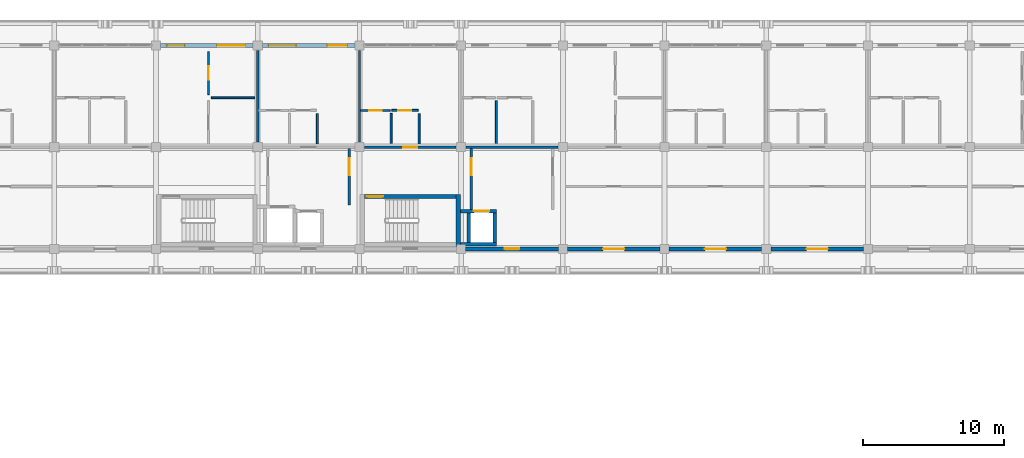
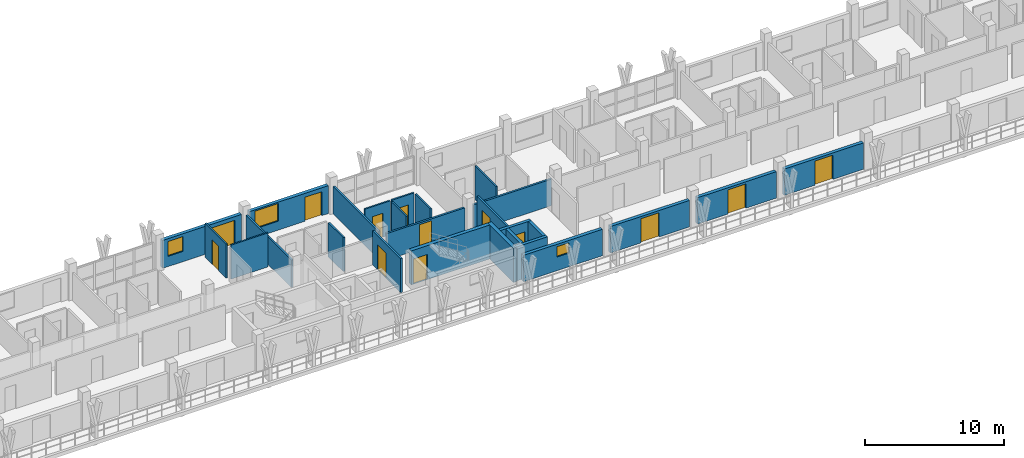
# One storey, part 47 of 76: 26 walls, 13 doors, 3 windows, 16 openings.
"""IFC4 building model written with IfcOpenShell, lengths in metres."""

from ifc_helpers import new_model, si_unit, direction, frame, frame_2d, origin, place, context, subcontext, project, spatial, rectangle, extrude, material, layer, layer_set, type_object, element, fill, save


model = new_model("IFC4")

# Units and contexts
model_context = context("Model", 3, precision=1e-05, world=origin(), true_north=direction((0.0, 1.0)))
body_context = subcontext(model_context, "Body", "Model", "MODEL_VIEW")
ifc_project = project(units=[si_unit("LENGTHUNIT", "METRE"), si_unit("AREAUNIT", "SQUARE_METRE"), si_unit("VOLUMEUNIT", "CUBIC_METRE"), si_unit("PLANEANGLEUNIT", "RADIAN"), si_unit("MASSUNIT", "GRAM", prefix="KILO")], contexts=[model_context])

# Site, building, storey
site_placement = place(None, origin())
site = spatial("IfcSite", under=ifc_project, at=site_placement, CompositionType="ELEMENT")
building_placement = place(site_placement, origin())
building = spatial("IfcBuilding", under=site, at=building_placement, Name="Suanplinth Sawtooth Commons", CompositionType="ELEMENT")
storey_placement = place(building_placement, frame((0.0, 0.0, 12.199951171875)))
storey = spatial("IfcBuildingStorey", under=building, at=storey_placement, Name="L03", CompositionType="ELEMENT", Elevation=12.199951171875)

# Wall, opening, door
ifc_material_1 = material(Name="Concrete C40/50", Category="concrete")
ifc_layer_1 = layer(ifc_material_1, 0.300048828125, Name="Standard RC stair and lift core wall 300mm")
ifc_layer_set_1 = layer_set([ifc_layer_1], Name="Concrete C40/50")
wall_type_1 = type_object("IfcWallType", Name="W-CR02", PredefinedType="SHEAR", material=ifc_layer_set_1)
wall_1_placement = place(storey_placement, frame((57.949951171875, 111.699951171875, 0.0), z_axis=(0.0, 0.0, 1.0), x_axis=(1.0, 0.0, 0.0)))
wall_1 = element("IfcWall", 1, at=wall_1_placement, inside=storey, type_object=wall_type_1, Name="W-L03-C-A2-STN", PredefinedType="SHEAR", context=body_context, shape_type="SweptSolid", body=[
    extrude(rectangle(XDim=6.5, YDim=0.300048828125, at=frame_2d((3.25, 0.0))), origin(), (0.0, 0.0, 1.0), 2.97998046875),
])
opening_1_placement = place(wall_1_placement, frame((0.179931640625, 0.0, 0.0)))
opening_1 = element("IfcOpeningElement", 2, at=opening_1_placement, cuts=wall_1, Name="Opening FD0102", PredefinedType="OPENING", context=body_context, shape_type="SweptSolid", body=[
    extrude(rectangle(XDim=1.14990234375, YDim=2.199951171875, at=frame_2d((0.574951171875, 1.10009765625))), frame((0.0, 0.1650390625, 0.0), z_axis=(0.0, -1.0, 0.0), x_axis=(1.0, 0.0, 0.0)), (0.0, 0.0, 1.0), 0.329833984375),
])
ifc_material_2 = material(Name="Teak hardwood fire-rated door assembly", Category="wood")
door_type_1 = type_object("IfcDoorType", Name="FD-01", OperationType="NOTDEFINED", PredefinedType="DOOR", material=ifc_material_2)
door_1_placement = place(opening_1_placement, frame((1.14990234375, 0.0, 0.0), z_axis=(0.0, 0.0, 1.0), x_axis=(-1.0, 0.0, 0.0)))
door_1 = element("IfcDoor", 3, at=door_1_placement, inside=storey, type_object=door_type_1, Name="Exit Stair Fire Door FD0102", OperationType="SINGLE_SWING_LEFT", OverallHeight=2.199951171875, OverallWidth=1.14990234375, PredefinedType="DOOR", context=body_context, shape_type="SweptSolid", body=[
    extrude(rectangle(XDim=1.14990234375, YDim=2.199951171875, at=frame_2d((0.574951171875, 1.10009765625))), frame((0.0, 0.02490234375, 0.0), z_axis=(0.0, -1.0, 0.0), x_axis=(1.0, 0.0, 0.0)), (0.0, 0.0, 1.0), 0.050048828125),
])
fill(opening_1, door_1)

# Wall
wall_2_placement = place(storey_placement, frame((64.60009765625, 108.14990234375, 0.0), z_axis=(0.0, 0.0, 1.0), x_axis=(0.0, 1.0, 0.0)))
element("IfcWall", 4, at=wall_2_placement, inside=storey, type_object=wall_type_1, Name="W-L03-C-A2-STE", PredefinedType="SHEAR", context=body_context, shape_type="SweptSolid", body=[
    extrude(rectangle(XDim=3.7001953125, YDim=0.300048828125, at=frame_2d((1.85009765625, 0.0))), origin(), (0.0, 0.0, 1.0), 2.97998046875),
])

# Wall, openings, door, window
ifc_material_3 = material(Name="Precast concrete C40/50", Category="concrete")
ifc_layer_2 = layer(ifc_material_3, 0.280029296875, Name="Insulated precast architectural facade wall 280mm")
ifc_layer_set_2 = layer_set([ifc_layer_2], Name="Precast concrete C40/50")
wall_type_2 = type_object("IfcWallType", Name="W-EX01", PredefinedType="ELEMENTEDWALL", material=ifc_layer_set_2)
wall_3_placement = place(storey_placement, frame((43.52490234375, 122.39990234375, 0.0), z_axis=(0.0, 0.0, 1.0), x_axis=(1.0, 0.0, 0.0)))
wall_3 = element("IfcWall", 5, at=wall_3_placement, inside=storey, type_object=wall_type_2, Name="Facade Wall W-L03-A-N-6", PredefinedType="ELEMENTEDWALL", context=body_context, shape_type="SweptSolid", body=[
    extrude(rectangle(XDim=6.550048828125, YDim=0.280029296875, at=frame_2d((3.27490234375, 0.0))), origin(), (0.0, 0.0, 1.0), 2.445068359375),
])
opening_2_placement = place(wall_3_placement, frame((4.0, 0.0, 0.0)))
opening_2 = element("IfcOpeningElement", 6, at=opening_2_placement, cuts=wall_3, Name="Opening ED0229", PredefinedType="OPENING", context=body_context, shape_type="SweptSolid", body=[
    extrude(rectangle(XDim=2.0, YDim=2.1201171875, at=frame_2d((1.0, 1.06005859375))), frame((0.0, 0.15478515625, 0.0), z_axis=(0.0, -1.0, 0.0), x_axis=(1.0, 0.0, 0.0)), (0.0, 0.0, 1.0), 0.309814453125),
])
opening_3_placement = place(wall_3_placement, frame((0.449951171875, 0.0, 0.89990234375)))
opening_3 = element("IfcOpeningElement", 7, at=opening_3_placement, cuts=wall_3, Name="Opening W0336", PredefinedType="OPENING", context=body_context, shape_type="SweptSolid", body=[
    extrude(rectangle(XDim=1.25, YDim=1.300048828125, at=frame_2d((0.625, 0.64990234375))), frame((0.0, 0.15478515625, 0.0), z_axis=(0.0, -1.0, 0.0), x_axis=(1.0, 0.0, 0.0)), (0.0, 0.0, 1.0), 0.309814453125),
])
ifc_material_4 = material(Name="Anodized aluminium and low-E glass", Category="aluminium")
door_type_2 = type_object("IfcDoorType", Name="SD-06", OperationType="DOUBLE_DOOR_SLIDING", PredefinedType="DOOR", material=ifc_material_4)
door_2_placement = place(opening_2_placement, frame((2.0, 0.0, 0.0), z_axis=(0.0, 0.0, 1.0), x_axis=(-1.0, 0.0, 0.0)))
door_2 = element("IfcDoor", 8, at=door_2_placement, inside=storey, type_object=door_type_2, Name="Balcony Sliding Door L03-A-N-6", OperationType="DOUBLE_DOOR_SLIDING", OverallHeight=2.1201171875, OverallWidth=2.0, PredefinedType="DOOR", context=body_context, shape_type="SweptSolid", body=[
    extrude(rectangle(XDim=2.0, YDim=2.1201171875, at=frame_2d((1.0, 1.06005859375))), frame((0.0, 0.02490234375, 0.0), z_axis=(0.0, -1.0, 0.0), x_axis=(1.0, 0.0, 0.0)), (0.0, 0.0, 1.0), 0.050048828125),
])
fill(opening_2, door_2)
ifc_material_5 = material(Name="Thermally broken aluminium and low-E double glazing", Category="aluminium")
window_type_1 = type_object("IfcWindowType", Name="WN-17", PartitioningType="SINGLE_PANEL", PredefinedType="WINDOW", material=ifc_material_5)
window_1_placement = place(opening_3_placement, origin())
window_1 = element("IfcWindow", 9, at=window_1_placement, inside=storey, type_object=window_type_1, Name="Window L03-A-N-6", OverallHeight=1.300048828125, OverallWidth=1.25, PartitioningType="SINGLE_PANEL", PredefinedType="WINDOW", context=body_context, shape_type="SweptSolid", body=[
    extrude(rectangle(XDim=1.25, YDim=1.300048828125, at=frame_2d((0.625, 0.64990234375))), frame((0.0, 0.030029296875, 0.0), z_axis=(0.0, -1.0, 0.0), x_axis=(1.0, 0.0, 0.0)), (0.0, 0.0, 1.0), 0.06005859375),
])
fill(opening_3, window_1)

wall_4_placement = place(storey_placement, frame((50.72509765625, 122.39990234375, 0.0), z_axis=(0.0, 0.0, 1.0), x_axis=(1.0, 0.0, 0.0)))
wall_4 = element("IfcWall", 10, at=wall_4_placement, inside=storey, type_object=wall_type_2, Name="Facade Wall W-L03-A-N-7", PredefinedType="ELEMENTEDWALL", context=body_context, shape_type="SweptSolid", body=[
    extrude(rectangle(XDim=6.5498046875, YDim=0.280029296875, at=frame_2d((3.27490234375, 0.0))), origin(), (0.0, 0.0, 1.0), 2.445068359375),
])
opening_4_placement = place(wall_4_placement, frame((4.60009765625, 0.0, 0.0)))
opening_4 = element("IfcOpeningElement", 11, at=opening_4_placement, cuts=wall_4, Name="Opening ED0230", PredefinedType="OPENING", context=body_context, shape_type="SweptSolid", body=[
    extrude(rectangle(XDim=1.39990234375, YDim=2.10009765625, at=frame_2d((0.699951171875, 1.050048828125))), frame((0.0, 0.15478515625, 0.0), z_axis=(0.0, -1.0, 0.0), x_axis=(1.0, 0.0, 0.0)), (0.0, 0.0, 1.0), 0.309814453125),
])
opening_5_placement = place(wall_4_placement, frame((0.449951171875, 0.0, 0.784912109375)))
opening_5 = element("IfcOpeningElement", 12, at=opening_5_placement, cuts=wall_4, Name="Opening W0338", PredefinedType="OPENING", context=body_context, shape_type="SweptSolid", body=[
    extrude(rectangle(XDim=1.949951171875, YDim=1.550048828125, at=frame_2d((0.97509765625, 0.77490234375))), frame((0.0, 0.15478515625, 0.0), z_axis=(0.0, -1.0, 0.0), x_axis=(1.0, 0.0, 0.0)), (0.0, 0.0, 1.0), 0.309814453125),
])
door_type_3 = type_object("IfcDoorType", Name="SD-07", OperationType="SLIDING_TO_RIGHT", PredefinedType="DOOR", material=ifc_material_4)
door_3_placement = place(opening_4_placement, frame((1.39990234375, 0.0, 0.0), z_axis=(0.0, 0.0, 1.0), x_axis=(-1.0, 0.0, 0.0)))
door_3 = element("IfcDoor", 13, at=door_3_placement, inside=storey, type_object=door_type_3, Name="Balcony Sliding Door L03-A-N-7", OperationType="SLIDING_TO_RIGHT", OverallHeight=2.10009765625, OverallWidth=1.39990234375, PredefinedType="DOOR", context=body_context, shape_type="SweptSolid", body=[
    extrude(rectangle(XDim=1.39990234375, YDim=2.10009765625, at=frame_2d((0.699951171875, 1.050048828125))), frame((0.0, 0.02490234375, 0.0), z_axis=(0.0, -1.0, 0.0), x_axis=(1.0, 0.0, 0.0)), (0.0, 0.0, 1.0), 0.050048828125),
])
fill(opening_4, door_3)
window_type_2 = type_object("IfcWindowType", Name="WN-18", PartitioningType="DOUBLE_PANEL_VERTICAL", PredefinedType="WINDOW", material=ifc_material_5)
window_2_placement = place(opening_5_placement, origin())
window_2 = element("IfcWindow", 14, at=window_2_placement, inside=storey, type_object=window_type_2, Name="Window L03-A-N-7", OverallHeight=1.550048828125, OverallWidth=1.949951171875, PartitioningType="DOUBLE_PANEL_VERTICAL", PredefinedType="WINDOW", context=body_context, shape_type="SweptSolid", body=[
    extrude(rectangle(XDim=1.949951171875, YDim=1.550048828125, at=frame_2d((0.97509765625, 0.77490234375))), frame((0.0, 0.030029296875, 0.0), z_axis=(0.0, -1.0, 0.0), x_axis=(1.0, 0.0, 0.0)), (0.0, 0.0, 1.0), 0.06005859375),
])
fill(opening_5, window_2)

# Wall, opening, window
wall_5_placement = place(storey_placement, frame((65.125, 108.0, 0.0), z_axis=(0.0, 0.0, 1.0), x_axis=(1.0, 0.0, 0.0)))
wall_5 = element("IfcWall", 15, at=wall_5_placement, inside=storey, type_object=wall_type_2, Name="Courtyard Wall W-L03-A-S-9", PredefinedType="ELEMENTEDWALL", context=body_context, shape_type="SweptSolid", body=[
    extrude(rectangle(XDim=6.550048828125, YDim=0.280029296875, at=frame_2d((3.27490234375, 0.0))), origin(), (0.0, 0.0, 1.0), 2.31494140625),
])
opening_6_placement = place(wall_5_placement, frame((2.77490234375, 0.0, 1.199951171875)))
opening_6 = element("IfcOpeningElement", 16, at=opening_6_placement, cuts=wall_5, Name="Opening W0342", PredefinedType="OPENING", context=body_context, shape_type="SweptSolid", body=[
    extrude(rectangle(XDim=1.0, YDim=0.89990234375, at=frame_2d((0.5, 0.449951171875))), frame((0.0, 0.15478515625, 0.0), z_axis=(0.0, -1.0, 0.0), x_axis=(1.0, 0.0, 0.0)), (0.0, 0.0, 1.0), 0.309814453125),
])
window_type_3 = type_object("IfcWindowType", Name="WN-12", PartitioningType="SINGLE_PANEL", PredefinedType="WINDOW", material=ifc_material_5)
window_3_placement = place(opening_6_placement, origin())
window_3 = element("IfcWindow", 17, at=window_3_placement, inside=storey, type_object=window_type_3, Name="Core Daylight Window L03-A-9", OverallHeight=0.89990234375, OverallWidth=1.0, PartitioningType="SINGLE_PANEL", PredefinedType="WINDOW", context=body_context, shape_type="SweptSolid", body=[
    extrude(rectangle(XDim=1.0, YDim=0.89990234375, at=frame_2d((0.5, 0.449951171875))), frame((0.0, 0.030029296875, 0.0), z_axis=(0.0, -1.0, 0.0), x_axis=(1.0, 0.0, 0.0)), (0.0, 0.0, 1.0), 0.06005859375),
])
fill(opening_6, window_3)

# Wall, opening, door
wall_6_placement = place(storey_placement, frame((72.324951171875, 108.0, 0.0), z_axis=(0.0, 0.0, 1.0), x_axis=(1.0, 0.0, 0.0)))
wall_6 = element("IfcWall", 18, at=wall_6_placement, inside=storey, type_object=wall_type_2, Name="Courtyard Wall W-L03-A-S-10", PredefinedType="ELEMENTEDWALL", context=body_context, shape_type="SweptSolid", body=[
    extrude(rectangle(XDim=6.550048828125, YDim=0.280029296875, at=frame_2d((3.27490234375, 0.0))), origin(), (0.0, 0.0, 1.0), 2.31494140625),
])
opening_7_placement = place(wall_6_placement, frame((2.52490234375, 0.0, 0.0)))
opening_7 = element("IfcOpeningElement", 19, at=opening_7_placement, cuts=wall_6, Name="Opening ED0233", PredefinedType="OPENING", context=body_context, shape_type="SweptSolid", body=[
    extrude(rectangle(XDim=1.5, YDim=2.1201171875, at=frame_2d((0.75, 1.06005859375))), frame((0.0, 0.15478515625, 0.0), z_axis=(0.0, -1.0, 0.0), x_axis=(1.0, 0.0, 0.0)), (0.0, 0.0, 1.0), 0.309814453125),
])
door_type_4 = type_object("IfcDoorType", Name="SD-03", OperationType="SLIDING_TO_LEFT", PredefinedType="DOOR", material=ifc_material_4)
door_4_placement = place(opening_7_placement, frame((1.5, 0.0, 0.0), z_axis=(0.0, 0.0, 1.0), x_axis=(-1.0, 0.0, 0.0)))
door_4 = element("IfcDoor", 20, at=door_4_placement, inside=storey, type_object=door_type_4, Name="Courtyard Balcony Sliding Door L03-A-S-10", OperationType="SLIDING_TO_LEFT", OverallHeight=2.1201171875, OverallWidth=1.5, PredefinedType="DOOR", context=body_context, shape_type="SweptSolid", body=[
    extrude(rectangle(XDim=1.5, YDim=2.1201171875, at=frame_2d((0.75, 1.06005859375))), frame((0.0, 0.02490234375, 0.0), z_axis=(0.0, -1.0, 0.0), x_axis=(1.0, 0.0, 0.0)), (0.0, 0.0, 1.0), 0.050048828125),
])
fill(opening_7, door_4)

wall_7_placement = place(storey_placement, frame((79.52490234375, 108.0, 0.0), z_axis=(0.0, 0.0, 1.0), x_axis=(1.0, 0.0, 0.0)))
wall_7 = element("IfcWall", 21, at=wall_7_placement, inside=storey, type_object=wall_type_2, Name="Courtyard Wall W-L03-A-S-11", PredefinedType="ELEMENTEDWALL", context=body_context, shape_type="SweptSolid", body=[
    extrude(rectangle(XDim=6.550048828125, YDim=0.280029296875, at=frame_2d((3.27490234375, 0.0))), origin(), (0.0, 0.0, 1.0), 2.31494140625),
])
opening_8_placement = place(wall_7_placement, frame((2.52490234375, 0.0, 0.0)))
opening_8 = element("IfcOpeningElement", 22, at=opening_8_placement, cuts=wall_7, Name="Opening ED0234", PredefinedType="OPENING", context=body_context, shape_type="SweptSolid", body=[
    extrude(rectangle(XDim=1.5, YDim=2.1201171875, at=frame_2d((0.75, 1.06005859375))), frame((0.0, 0.15478515625, 0.0), z_axis=(0.0, -1.0, 0.0), x_axis=(1.0, 0.0, 0.0)), (0.0, 0.0, 1.0), 0.309814453125),
])
door_5_placement = place(opening_8_placement, frame((1.5, 0.0, 0.0), z_axis=(0.0, 0.0, 1.0), x_axis=(-1.0, 0.0, 0.0)))
door_5 = element("IfcDoor", 23, at=door_5_placement, inside=storey, type_object=door_type_4, Name="Courtyard Balcony Sliding Door L03-A-S-11", OperationType="SLIDING_TO_LEFT", OverallHeight=2.1201171875, OverallWidth=1.5, PredefinedType="DOOR", context=body_context, shape_type="SweptSolid", body=[
    extrude(rectangle(XDim=1.5, YDim=2.1201171875, at=frame_2d((0.75, 1.06005859375))), frame((0.0, 0.02490234375, 0.0), z_axis=(0.0, -1.0, 0.0), x_axis=(1.0, 0.0, 0.0)), (0.0, 0.0, 1.0), 0.050048828125),
])
fill(opening_8, door_5)

wall_8_placement = place(storey_placement, frame((86.72509765625, 108.0, 0.0), z_axis=(0.0, 0.0, 1.0), x_axis=(1.0, 0.0, 0.0)))
wall_8 = element("IfcWall", 24, at=wall_8_placement, inside=storey, type_object=wall_type_2, Name="Courtyard Wall W-L03-A-S-12", PredefinedType="ELEMENTEDWALL", context=body_context, shape_type="SweptSolid", body=[
    extrude(rectangle(XDim=6.5498046875, YDim=0.280029296875, at=frame_2d((3.27490234375, 0.0))), origin(), (0.0, 0.0, 1.0), 2.31494140625),
])
opening_9_placement = place(wall_8_placement, frame((2.52490234375, 0.0, 0.0)))
opening_9 = element("IfcOpeningElement", 25, at=opening_9_placement, cuts=wall_8, Name="Opening ED0236", PredefinedType="OPENING", context=body_context, shape_type="SweptSolid", body=[
    extrude(rectangle(XDim=1.5, YDim=2.1201171875, at=frame_2d((0.75, 1.06005859375))), frame((0.0, 0.15478515625, 0.0), z_axis=(0.0, -1.0, 0.0), x_axis=(1.0, 0.0, 0.0)), (0.0, 0.0, 1.0), 0.309814453125),
])
door_6_placement = place(opening_9_placement, frame((1.5, 0.0, 0.0), z_axis=(0.0, 0.0, 1.0), x_axis=(-1.0, 0.0, 0.0)))
door_6 = element("IfcDoor", 26, at=door_6_placement, inside=storey, type_object=door_type_4, Name="Courtyard Balcony Sliding Door L03-A-S-12", OperationType="SLIDING_TO_LEFT", OverallHeight=2.1201171875, OverallWidth=1.5, PredefinedType="DOOR", context=body_context, shape_type="SweptSolid", body=[
    extrude(rectangle(XDim=1.5, YDim=2.1201171875, at=frame_2d((0.75, 1.06005859375))), frame((0.0, 0.02490234375, 0.0), z_axis=(0.0, -1.0, 0.0), x_axis=(1.0, 0.0, 0.0)), (0.0, 0.0, 1.0), 0.050048828125),
])
fill(opening_9, door_6)

ifc_layer_3 = layer(ifc_material_3, 0.159912109375, Name="Fire-rated corridor and lobby wall 160mm")
ifc_layer_set_3 = layer_set([ifc_layer_3], Name="Precast concrete C40/50")
wall_type_3 = type_object("IfcWallType", Name="W-FW01", PredefinedType="PARTITIONING", material=ifc_layer_set_3)
wall_9_placement = place(storey_placement, frame((56.8798828125, 111.10009765625, 0.0), z_axis=(0.0, 0.0, 1.0), x_axis=(0.0, 1.0, 0.0)))
wall_9 = element("IfcWall", 27, at=wall_9_placement, inside=storey, type_object=wall_type_3, Name="W-L03-C-A1-LOB-E", PredefinedType="PARTITIONING", context=body_context, shape_type="SweptSolid", body=[
    extrude(rectangle(XDim=4.02001953125, YDim=0.159912109375, at=frame_2d((2.010009765625, 0.0))), origin(), (0.0, 0.0, 1.0), 2.97998046875),
])
opening_10_placement = place(wall_9_placement, frame((2.10009765625, 0.0, 0.0)))
opening_10 = element("IfcOpeningElement", 28, at=opening_10_placement, cuts=wall_9, Name="Opening FD0023", PredefinedType="OPENING", context=body_context, shape_type="SweptSolid", body=[
    extrude(rectangle(XDim=1.199951171875, YDim=2.199951171875, at=frame_2d((0.60009765625, 1.10009765625))), frame((0.0, 0.0947265625, 0.0), z_axis=(0.0, -1.0, 0.0), x_axis=(1.0, 0.0, 0.0)), (0.0, 0.0, 1.0), 0.189697265625),
])
door_type_5 = type_object("IfcDoorType", Name="FD-02", OperationType="NOTDEFINED", PredefinedType="DOOR", material=ifc_material_2)
door_7_placement = place(opening_10_placement, frame((1.199951171875, 0.0, 0.0), z_axis=(0.0, 0.0, 1.0), x_axis=(-1.0, 0.0, 0.0)))
door_7 = element("IfcDoor", 29, at=door_7_placement, inside=storey, type_object=door_type_5, Name="Lobby Fire Door FD0023", OperationType="SINGLE_SWING_RIGHT", OverallHeight=2.199951171875, OverallWidth=1.199951171875, PredefinedType="DOOR", context=body_context, shape_type="SweptSolid", body=[
    extrude(rectangle(XDim=1.199951171875, YDim=2.199951171875, at=frame_2d((0.60009765625, 1.10009765625))), frame((0.0, 0.02490234375, 0.0), z_axis=(0.0, -1.0, 0.0), x_axis=(1.0, 0.0, 0.0)), (0.0, 0.0, 1.0), 0.050048828125),
])
fill(opening_10, door_7)

wall_10_placement = place(storey_placement, frame((65.52001953125, 110.800048828125, 0.0), z_axis=(0.0, 0.0, 1.0), x_axis=(0.0, 1.0, 0.0)))
wall_10 = element("IfcWall", 30, at=wall_10_placement, inside=storey, type_object=wall_type_3, Name="W-L03-C-A2-LOB-W", PredefinedType="PARTITIONING", context=body_context, shape_type="SweptSolid", body=[
    extrude(rectangle(XDim=4.320068359375, YDim=0.159912109375, at=frame_2d((2.16015625, 0.0))), origin(), (0.0, 0.0, 1.0), 2.97998046875),
])
opening_11_placement = place(wall_10_placement, frame((2.39990234375, 0.0, 0.0)))
opening_11 = element("IfcOpeningElement", 31, at=opening_11_placement, cuts=wall_10, Name="Opening FD0103", PredefinedType="OPENING", context=body_context, shape_type="SweptSolid", body=[
    extrude(rectangle(XDim=1.199951171875, YDim=2.199951171875, at=frame_2d((0.60009765625, 1.10009765625))), frame((0.0, 0.0947265625, 0.0), z_axis=(0.0, -1.0, 0.0), x_axis=(1.0, 0.0, 0.0)), (0.0, 0.0, 1.0), 0.189697265625),
])
door_8_placement = place(opening_11_placement, origin())
door_8 = element("IfcDoor", 32, at=door_8_placement, inside=storey, type_object=door_type_5, Name="Lobby Fire Door FD0103", OperationType="SINGLE_SWING_RIGHT", OverallHeight=2.199951171875, OverallWidth=1.199951171875, PredefinedType="DOOR", context=body_context, shape_type="SweptSolid", body=[
    extrude(rectangle(XDim=1.199951171875, YDim=2.199951171875, at=frame_2d((0.60009765625, 1.10009765625))), frame((0.0, 0.02490234375, 0.0), z_axis=(0.0, -1.0, 0.0), x_axis=(1.0, 0.0, 0.0)), (0.0, 0.0, 1.0), 0.050048828125),
])
fill(opening_11, door_8)

wall_11_placement = place(storey_placement, frame((57.955078125, 115.199951171875, 0.0), z_axis=(0.0, 0.0, 1.0), x_axis=(1.0, 0.0, 0.0)))
wall_11 = element("IfcWall", 33, at=wall_11_placement, inside=storey, type_object=wall_type_3, Name="W-A-L03-U07-COR", PredefinedType="PARTITIONING", context=body_context, shape_type="SweptSolid", body=[
    extrude(rectangle(XDim=6.489990234375, YDim=0.159912109375, at=frame_2d((3.2451171875, 0.0))), origin(), (0.0, 0.0, 1.0), 2.31494140625),
])
opening_12_placement = place(wall_11_placement, frame((2.7451171875, 0.0, 0.0)))
opening_12 = element("IfcOpeningElement", 34, at=opening_12_placement, cuts=wall_11, Name="Opening FD0888", PredefinedType="OPENING", context=body_context, shape_type="SweptSolid", body=[
    extrude(rectangle(XDim=1.0, YDim=2.14990234375, at=frame_2d((0.5, 1.074951171875))), frame((0.0, 0.0947265625, 0.0), z_axis=(0.0, -1.0, 0.0), x_axis=(1.0, 0.0, 0.0)), (0.0, 0.0, 1.0), 0.189697265625),
])
door_type_6 = type_object("IfcDoorType", Name="FD-03", OperationType="NOTDEFINED", PredefinedType="DOOR", material=ifc_material_2)
door_9_placement = place(opening_12_placement, origin())
door_9 = element("IfcDoor", 35, at=door_9_placement, inside=storey, type_object=door_type_6, Name="Unit Entrance Door FD0888", OperationType="SINGLE_SWING_RIGHT", OverallHeight=2.14990234375, OverallWidth=1.0, PredefinedType="DOOR", context=body_context, shape_type="SweptSolid", body=[
    extrude(rectangle(XDim=1.0, YDim=2.14990234375, at=frame_2d((0.5, 1.074951171875))), frame((0.0, 0.02490234375, 0.0), z_axis=(0.0, -1.0, 0.0), x_axis=(1.0, 0.0, 0.0)), (0.0, 0.0, 1.0), 0.050048828125),
])
fill(opening_12, door_9)

# Walls
wall_12_placement = place(storey_placement, frame((65.155029296875, 115.199951171875, 0.0), z_axis=(0.0, 0.0, 1.0), x_axis=(1.0, 0.0, 0.0)))
element("IfcWall", 36, at=wall_12_placement, inside=storey, type_object=wall_type_3, Name="W-A-L03-U08-COR-S1", PredefinedType="PARTITIONING", context=body_context, shape_type="SweptSolid", body=[
    extrude(rectangle(XDim=6.489990234375, YDim=0.159912109375, at=frame_2d((3.2451171875, 0.0))), origin(), (0.0, 0.0, 1.0), 2.31494140625),
])
ifc_layer_4 = layer(ifc_material_3, 0.14990234375, Name="Acoustic precast party demising wall 150mm")
ifc_layer_set_4 = layer_set([ifc_layer_4], Name="Precast concrete C40/50")
wall_type_4 = type_object("IfcWallType", Name="W-FW02", PredefinedType="PARTITIONING", material=ifc_layer_set_4)
for number, where, z_axis, x_axis, name in (
    (37, (50.39990234375, 115.554931640625, 0.0), (0.0, 0.0, 1.0), (0.0, 1.0, 0.0), "W-A-L03-U05-PTY"),
    (38, (57.60009765625, 115.554931640625, 0.0), (0.0, 0.0, 1.0), (0.0, 1.0, 0.0), "W-A-L03-U06-PTY"),
):
    element("IfcWall", number, at=place(storey_placement, frame(where, z_axis=z_axis, x_axis=x_axis)), inside=storey, type_object=wall_type_4, Name=name, PredefinedType="PARTITIONING", context=body_context, shape_type="SweptSolid", body=[
        extrude(rectangle(XDim=6.489990234375, YDim=0.14990234375, at=frame_2d((3.2451171875, 0.0))), origin(), (0.0, 0.0, 1.0), 2.4150390625),
    ])
ifc_material_6 = material(Name="Gypsum plasterboard on steel stud", Category="steel")
ifc_layer_5 = layer(ifc_material_6, 0.139892578125, Name="Fire-rated kitchen partition 140mm")
ifc_layer_set_5 = layer_set([ifc_layer_5], Name="Gypsum plasterboard on steel stud")
wall_type_5 = type_object("IfcWallType", Name="W-PT01", PredefinedType="PARTITIONING", material=ifc_layer_set_5)
wall_13_placement = place(storey_placement, frame((54.6201171875, 115.429931640625, 0.0), z_axis=(0.0, 0.0, 1.0), x_axis=(0.0, 1.0, 0.0)))
element("IfcWall", 39, at=wall_13_placement, inside=storey, type_object=wall_type_5, Name="W-A-L03-U06-KIT2", PredefinedType="PARTITIONING", context=body_context, shape_type="SweptSolid", body=[
    extrude(rectangle(XDim=2.150146484375, YDim=0.139892578125, at=frame_2d((1.0751953125, 0.0))), origin(), (0.0, 0.0, 1.0), 2.97998046875),
])

# Wall, opening, door
wall_14_placement = place(storey_placement, frame((59.89990234375, 117.800048828125, 0.0), z_axis=(0.0, 0.0, 1.0), x_axis=(1.0, 0.0, 0.0)))
wall_14 = element("IfcWall", 40, at=wall_14_placement, inside=storey, type_object=wall_type_5, Name="W-A-L03-U07-KIT1", PredefinedType="PARTITIONING", context=body_context, shape_type="SweptSolid", body=[
    extrude(rectangle(XDim=1.85009765625, YDim=0.139892578125, at=frame_2d((0.925048828125, 0.0))), origin(), (0.0, 0.0, 1.0), 2.97998046875),
])
opening_13_placement = place(wall_14_placement, frame((0.465087890625, 0.0, 0.0)))
opening_13 = element("IfcOpeningElement", 41, at=opening_13_placement, cuts=wall_14, Name="Opening D0890", PredefinedType="OPENING", context=body_context, shape_type="SweptSolid", body=[
    extrude(rectangle(XDim=0.919921875, YDim=2.10009765625, at=frame_2d((0.4599609375, 1.050048828125))), frame((0.0, 0.0849609375, 0.0), z_axis=(0.0, -1.0, 0.0), x_axis=(1.0, 0.0, 0.0)), (0.0, 0.0, 1.0), 0.169677734375),
])
ifc_material_7 = material(Name="Teak hardwood", Category="wood")
door_type_7 = type_object("IfcDoorType", Name="D-02", OperationType="NOTDEFINED", PredefinedType="DOOR", material=ifc_material_7)
door_10_placement = place(opening_13_placement, frame((0.919921875, 0.0, 0.0), z_axis=(0.0, 0.0, 1.0), x_axis=(-1.0, 0.0, 0.0)))
door_10 = element("IfcDoor", 42, at=door_10_placement, inside=storey, type_object=door_type_7, Name="Kitchen Door D0890", OperationType="SINGLE_SWING_RIGHT", OverallHeight=2.10009765625, OverallWidth=0.919921875, PredefinedType="DOOR", context=body_context, shape_type="SweptSolid", body=[
    extrude(rectangle(XDim=0.919921875, YDim=2.10009765625, at=frame_2d((0.4599609375, 1.050048828125))), frame((0.0, 0.02490234375, 0.0), z_axis=(0.0, -1.0, 0.0), x_axis=(1.0, 0.0, 0.0)), (0.0, 0.0, 1.0), 0.050048828125),
])
fill(opening_13, door_10)

# Wall
wall_15_placement = place(storey_placement, frame((61.820068359375, 115.429931640625, 0.0), z_axis=(0.0, 0.0, 1.0), x_axis=(0.0, 1.0, 0.0)))
element("IfcWall", 43, at=wall_15_placement, inside=storey, type_object=wall_type_5, Name="W-A-L03-U07-KIT2", PredefinedType="PARTITIONING", context=body_context, shape_type="SweptSolid", body=[
    extrude(rectangle(XDim=2.150146484375, YDim=0.139892578125, at=frame_2d((1.0751953125, 0.0))), origin(), (0.0, 0.0, 1.0), 2.97998046875),
])

# Wall, opening, door
ifc_layer_6 = layer(ifc_material_6, 0.1298828125, Name="Moisture-resistant bathroom partition 130mm")
ifc_layer_set_6 = layer_set([ifc_layer_6], Name="Gypsum plasterboard on steel stud")
wall_type_6 = type_object("IfcWallType", Name="W-PT02", PredefinedType="PARTITIONING", material=ifc_layer_set_6)
wall_16_placement = place(storey_placement, frame((57.679931640625, 117.794921875, 0.0), z_axis=(0.0, 0.0, 1.0), x_axis=(1.0, 0.0, 0.0)))
wall_16 = element("IfcWall", 44, at=wall_16_placement, inside=storey, type_object=wall_type_6, Name="W-A-L03-U07-BTH1", PredefinedType="PARTITIONING", context=body_context, shape_type="SweptSolid", body=[
    extrude(rectangle(XDim=2.10009765625, YDim=0.1298828125, at=frame_2d((1.050048828125, 0.0))), origin(), (0.0, 0.0, 1.0), 2.97998046875),
])
opening_14_placement = place(wall_16_placement, frame((0.610107421875, 0.0, 0.0)))
opening_14 = element("IfcOpeningElement", 45, at=opening_14_placement, cuts=wall_16, Name="Opening D0889", PredefinedType="OPENING", context=body_context, shape_type="SweptSolid", body=[
    extrude(rectangle(XDim=0.8798828125, YDim=2.10009765625, at=frame_2d((0.43994140625, 1.050048828125))), frame((0.0, 0.079833984375, 0.0), z_axis=(0.0, -1.0, 0.0), x_axis=(1.0, 0.0, 0.0)), (0.0, 0.0, 1.0), 0.15966796875),
])
door_type_8 = type_object("IfcDoorType", Name="D-14", OperationType="NOTDEFINED", PredefinedType="DOOR", material=ifc_material_7)
door_11_placement = place(opening_14_placement, frame((0.8798828125, 0.0, 0.0), z_axis=(0.0, 0.0, 1.0), x_axis=(-1.0, 0.0, 0.0)))
door_11 = element("IfcDoor", 46, at=door_11_placement, inside=storey, type_object=door_type_8, Name="Bathroom Door D0889", OperationType="SINGLE_SWING_LEFT", OverallHeight=2.10009765625, OverallWidth=0.8798828125, PredefinedType="DOOR", context=body_context, shape_type="SweptSolid", body=[
    extrude(rectangle(XDim=0.8798828125, YDim=2.10009765625, at=frame_2d((0.43994140625, 1.050048828125))), frame((0.0, 0.02490234375, 0.0), z_axis=(0.0, -1.0, 0.0), x_axis=(1.0, 0.0, 0.0)), (0.0, 0.0, 1.0), 0.050048828125),
])
fill(opening_14, door_11)

# Walls
wall_17_placement = place(storey_placement, frame((59.844970703125, 115.4599609375, 0.0), z_axis=(0.0, 0.0, 1.0), x_axis=(0.0, 1.0, 0.0)))
element("IfcWall", 47, at=wall_17_placement, inside=storey, type_object=wall_type_6, Name="W-A-L03-U07-BTH2", PredefinedType="PARTITIONING", context=body_context, shape_type="SweptSolid", body=[
    extrude(rectangle(XDim=2.130126953125, YDim=0.1298828125, at=frame_2d((1.06494140625, 0.0))), origin(), (0.0, 0.0, 1.0), 2.97998046875),
])
wall_18_placement = place(storey_placement, frame((67.294921875, 115.4599609375, 0.0), z_axis=(0.0, 0.0, 1.0), x_axis=(0.0, 1.0, 0.0)))
element("IfcWall", 48, at=wall_18_placement, inside=storey, type_object=wall_type_6, Name="W-A-L03-U08-BTH2", PredefinedType="PARTITIONING", context=body_context, shape_type="SweptSolid", body=[
    extrude(rectangle(XDim=3.0400390625, YDim=0.1298828125, at=frame_2d((1.52001953125, 0.0))), origin(), (0.0, 0.0, 1.0), 2.97998046875),
])
ifc_layer_7 = layer(ifc_material_6, 0.125, Name="Acoustic study partition 125mm")
ifc_layer_set_7 = layer_set([ifc_layer_7], Name="Gypsum plasterboard on steel stud")
wall_type_7 = type_object("IfcWallType", Name="W-PT06", PredefinedType="PARTITIONING", material=ifc_layer_set_7)
wall_19_placement = place(storey_placement, frame((47.1201171875, 118.699951171875, 0.0), z_axis=(0.0, 0.0, 1.0), x_axis=(1.0, 0.0, 0.0)))
element("IfcWall", 49, at=wall_19_placement, inside=storey, type_object=wall_type_7, Name="W-A-L03-U05-BEDDIV", PredefinedType="PARTITIONING", context=body_context, shape_type="SweptSolid", body=[
    extrude(rectangle(XDim=3.059814453125, YDim=0.125, at=frame_2d((1.52978515625, 0.0))), origin(), (0.0, 0.0, 1.0), 2.97998046875),
])

# Wall, opening, door
ifc_layer_8 = layer(ifc_material_6, 0.135009765625, Name="Insulated bedroom demising partition 135mm")
ifc_layer_set_8 = layer_set([ifc_layer_8], Name="Gypsum plasterboard on steel stud")
wall_type_8 = type_object("IfcWallType", Name="W-PT07", PredefinedType="PARTITIONING", material=ifc_layer_set_8)
wall_20_placement = place(storey_placement, frame((46.919921875, 118.919921875, 0.0), z_axis=(0.0, 0.0, 1.0), x_axis=(0.0, 1.0, 0.0)))
wall_20 = element("IfcWall", 50, at=wall_20_placement, inside=storey, type_object=wall_type_8, Name="W-A-L03-U05-BED1", PredefinedType="PARTITIONING", context=body_context, shape_type="SweptSolid", body=[
    extrude(rectangle(XDim=3.0400390625, YDim=0.135009765625, at=frame_2d((1.52001953125, 0.0))), origin(), (0.0, 0.0, 1.0), 2.97998046875),
])
opening_15_placement = place(wall_20_placement, frame((1.044921875, 0.0, 0.0)))
opening_15 = element("IfcOpeningElement", 51, at=opening_15_placement, cuts=wall_20, Name="Opening D0883", PredefinedType="OPENING", context=body_context, shape_type="SweptSolid", body=[
    extrude(rectangle(XDim=0.949951171875, YDim=2.14990234375, at=frame_2d((0.47509765625, 1.074951171875))), frame((0.0, 0.08251953125, 0.0), z_axis=(0.0, -1.0, 0.0), x_axis=(1.0, 0.0, 0.0)), (0.0, 0.0, 1.0), 0.164794921875),
])
door_type_9 = type_object("IfcDoorType", Name="D-03", OperationType="NOTDEFINED", PredefinedType="DOOR", material=ifc_material_7)
door_12_placement = place(opening_15_placement, frame((0.949951171875, 0.0, 0.0), z_axis=(0.0, 0.0, 1.0), x_axis=(-1.0, 0.0, 0.0)))
door_12 = element("IfcDoor", 52, at=door_12_placement, inside=storey, type_object=door_type_9, Name="Bedroom Door D0883", OperationType="SINGLE_SWING_LEFT", OverallHeight=2.14990234375, OverallWidth=0.949951171875, PredefinedType="DOOR", context=body_context, shape_type="SweptSolid", body=[
    extrude(rectangle(XDim=0.949951171875, YDim=2.14990234375, at=frame_2d((0.47509765625, 1.074951171875))), frame((0.0, 0.02490234375, 0.0), z_axis=(0.0, -1.0, 0.0), x_axis=(1.0, 0.0, 0.0)), (0.0, 0.0, 1.0), 0.050048828125),
])
fill(opening_15, door_12)

# Wall
ifc_layer_9 = layer(ifc_material_3, 0.25, Name="Precast structural shear wall 250mm")
ifc_layer_set_9 = layer_set([ifc_layer_9], Name="Precast concrete C40/50")
wall_type_9 = type_object("IfcWallType", Name="W-SH01", PredefinedType="SHEAR", material=ifc_layer_set_9)
wall_21_placement = place(storey_placement, frame((64.75, 108.324951171875, 0.0), z_axis=(0.0, 0.0, 1.0), x_axis=(1.0, 0.0, 0.0)))
element("IfcWall", 53, at=wall_21_placement, inside=storey, type_object=wall_type_9, Name="W-L03-LF2-S", PredefinedType="SHEAR", context=body_context, shape_type="SweptSolid", body=[
    extrude(rectangle(XDim=2.550048828125, YDim=0.25, at=frame_2d((1.27490234375, 0.0))), origin(), (0.0, 0.0, 1.0), 2.97998046875),
])

# Wall, opening, door
wall_22_placement = place(storey_placement, frame((64.75, 110.675048828125, 0.0), z_axis=(0.0, 0.0, 1.0), x_axis=(1.0, 0.0, 0.0)))
wall_22 = element("IfcWall", 54, at=wall_22_placement, inside=storey, type_object=wall_type_9, Name="W-L03-LF2-N", PredefinedType="SHEAR", context=body_context, shape_type="SweptSolid", body=[
    extrude(rectangle(XDim=2.550048828125, YDim=0.25, at=frame_2d((1.27490234375, 0.0))), origin(), (0.0, 0.0, 1.0), 2.97998046875),
])
opening_16_placement = place(wall_22_placement, frame((0.949951171875, 0.0, 0.0)))
opening_16 = element("IfcOpeningElement", 55, at=opening_16_placement, cuts=wall_22, Name="Opening LD0105", PredefinedType="OPENING", context=body_context, shape_type="SweptSolid", body=[
    extrude(rectangle(XDim=1.10009765625, YDim=2.14990234375, at=frame_2d((0.550048828125, 1.074951171875))), frame((0.0, 0.139892578125, 0.0), z_axis=(0.0, -1.0, 0.0), x_axis=(1.0, 0.0, 0.0)), (0.0, 0.0, 1.0), 0.27978515625),
])
ifc_material_8 = material(Name="Stainless steel Grade 304", Category="steel")
door_type_10 = type_object("IfcDoorType", Name="LD-01", OperationType="SLIDING_TO_LEFT", PredefinedType="DOOR", material=ifc_material_8)
door_13_placement = place(opening_16_placement, origin())
door_13 = element("IfcDoor", 56, at=door_13_placement, inside=storey, type_object=door_type_10, Name="Lift Landing Sliding Door LF2 L03", OperationType="SLIDING_TO_LEFT", OverallHeight=2.14990234375, OverallWidth=1.10009765625, PredefinedType="DOOR", context=body_context, shape_type="SweptSolid", body=[
    extrude(rectangle(XDim=1.10009765625, YDim=2.14990234375, at=frame_2d((0.550048828125, 1.074951171875))), frame((0.0, 0.02490234375, 0.0), z_axis=(0.0, -1.0, 0.0), x_axis=(1.0, 0.0, 0.0)), (0.0, 0.0, 1.0), 0.050048828125),
])
fill(opening_16, door_13)

# Walls
for number, where, z_axis, x_axis, name in (
    (57, (65.324951171875, 108.449951171875, 0.0), (0.0, 0.0, 1.0), (0.0, 1.0, 0.0), "W-L03-LF2-W"),
    (58, (67.175048828125, 108.449951171875, 0.0), (0.0, 0.0, 1.0), (0.0, 1.0, 0.0), "W-L03-LF2-E"),
):
    element("IfcWall", number, at=place(storey_placement, frame(where, z_axis=z_axis, x_axis=x_axis)), inside=storey, type_object=wall_type_9, Name=name, PredefinedType="SHEAR", context=body_context, shape_type="SweptSolid", body=[
        extrude(rectangle(XDim=2.10009765625, YDim=0.25, at=frame_2d((1.050048828125, 0.0))), origin(), (0.0, 0.0, 1.0), 2.97998046875),
    ])

save(model, "model.ifc")
